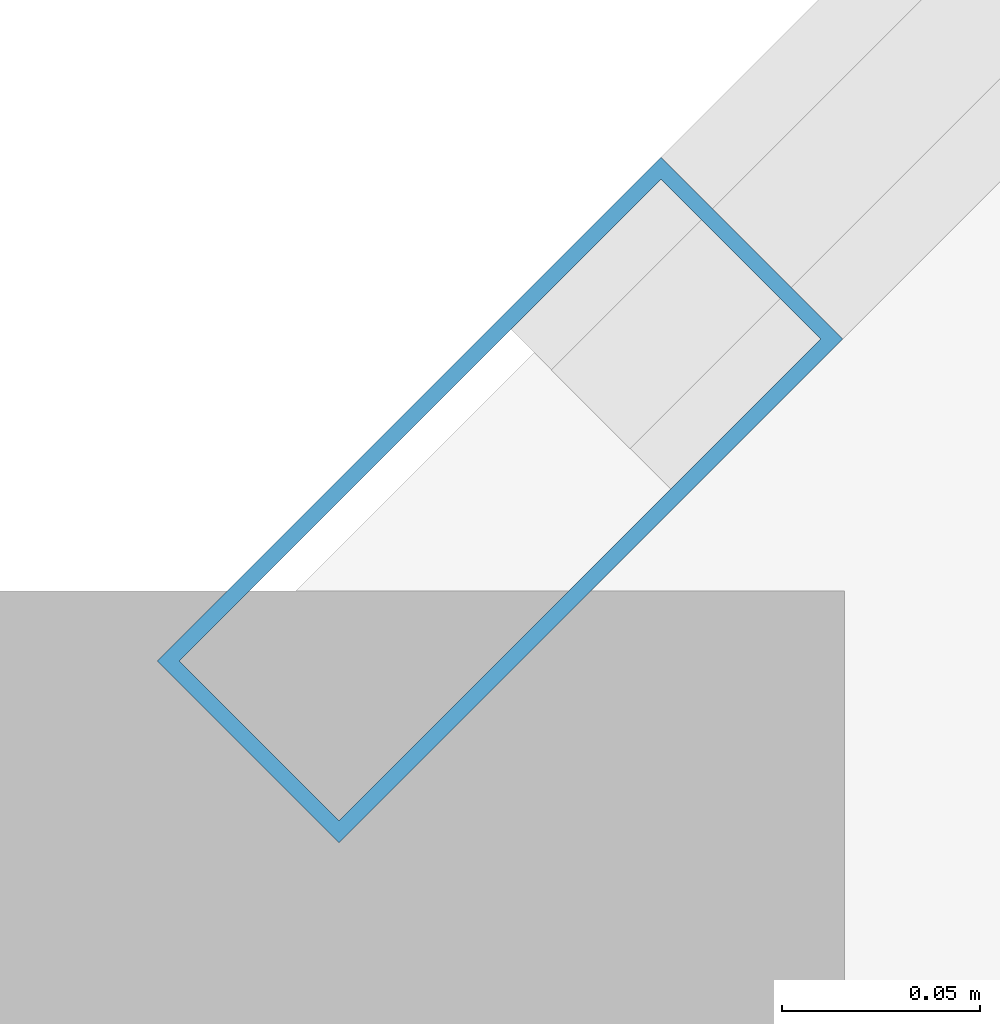
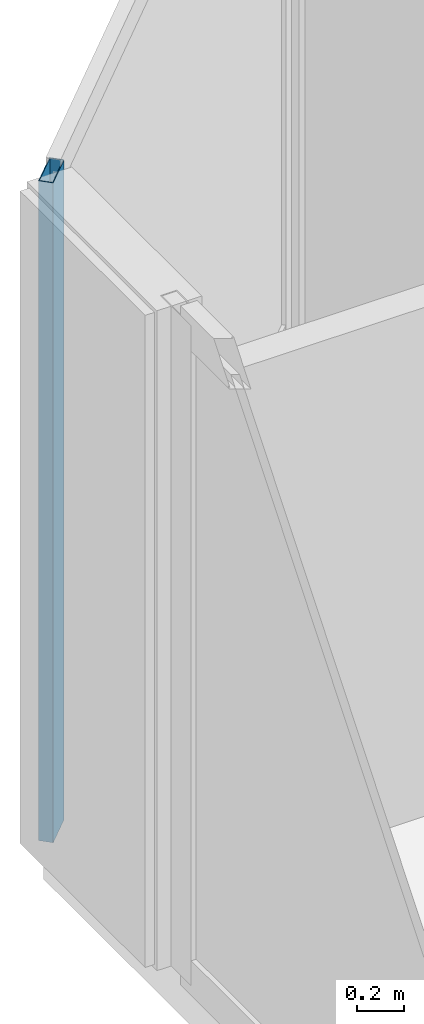
# One storey, part 5 of 30: 1 member, 1 element without a shape of its own.
"""IFC4 building model written with IfcOpenShell, lengths in metres."""

from ifc_helpers import new_model, si_unit, direction, frame, origin, origin_2d, place, context, subcontext, project, spatial, hollow_rectangle, extrude, material, layer, layer_set, material_profile, profile_set, type_object, element, aggregate, save


model = new_model("IFC4")

# Units and contexts
model_context = context("Model", 3, precision=1e-05, world=origin(), true_north=direction((0.0, 1.0)))
body_context = subcontext(model_context, "Body", "Model", "MODEL_VIEW")
ifc_project = project(units=[si_unit("LENGTHUNIT", "METRE"), si_unit("AREAUNIT", "SQUARE_METRE"), si_unit("VOLUMEUNIT", "CUBIC_METRE"), si_unit("PLANEANGLEUNIT", "RADIAN"), si_unit("MASSUNIT", "GRAM", prefix="KILO")], contexts=[model_context])

# Site, building, storey
site_placement = place(None, origin())
site = spatial("IfcSite", under=ifc_project, at=site_placement, CompositionType="ELEMENT")
building_placement = place(site_placement, origin())
building = spatial("IfcBuilding", under=site, at=building_placement, Name="Tanjung Sevakor Pilgrim Tower", CompositionType="ELEMENT")
storey_placement = place(building_placement, frame((0.0, 0.0, 253.43994140625)))
storey = spatial("IfcBuildingStorey", under=building, at=storey_placement, Name="L71", CompositionType="ELEMENT", Elevation=253.43994140625)

# Curtain wall, member
ifc_material_1 = material(Name="Aluminium 6063-T6 and Low-E Glass", Category="aluminium")
ifc_layer = layer(ifc_material_1, 0.179931640625)
ifc_layer_set = layer_set([ifc_layer], Name="CW-SYS-CHAM")
curtain_wall_type = type_object("IfcCurtainWallType", Name="CW-SYS-CHAM", PredefinedType="NOTDEFINED", material=ifc_layer_set)
curtain_wall_placement = place(storey_placement, origin())
curtain_wall = element("IfcCurtainWall", 1, at=curtain_wall_placement, inside=storey, type_object=curtain_wall_type, Name="L71 Curtain Wall CW-CHM-L71-WEST-5", PredefinedType="NOTDEFINED")
ifc_material_2 = material(Name="Aluminium 6063-T6", Category="aluminium")
ifc_material_profile = material_profile(ifc_material_2, hollow_rectangle(XDim=0.06494140625, YDim=0.179931640625, WallThickness=0.00390625, at=origin_2d()))
ifc_profile_set = profile_set([ifc_material_profile], Name="Aluminium 6063-T6")
member_type = type_object("IfcMemberType", Name="TYPE-CWM-1", PredefinedType="MULLION", material=ifc_profile_set)
member_placement = place(storey_placement, frame((22.133056640625, 43.577392578125, 0.0), z_axis=(0.0, 0.0, 1.0), x_axis=(0.707106781187, -0.707106781187, 0.0)))
member = element("IfcMember", 2, at=member_placement, type_object=member_type, Name="CW-CHM mullion 2", PredefinedType="MULLION", context=body_context, shape_type="SweptSolid", body=[
    extrude(hollow_rectangle(XDim=0.06494140625, YDim=0.179931640625, WallThickness=0.00390625, at=origin_2d()), origin(), (0.0, 0.0, 1.0), 3.41015625),
])
aggregate(curtain_wall, [member])

save(model, "model.ifc")
